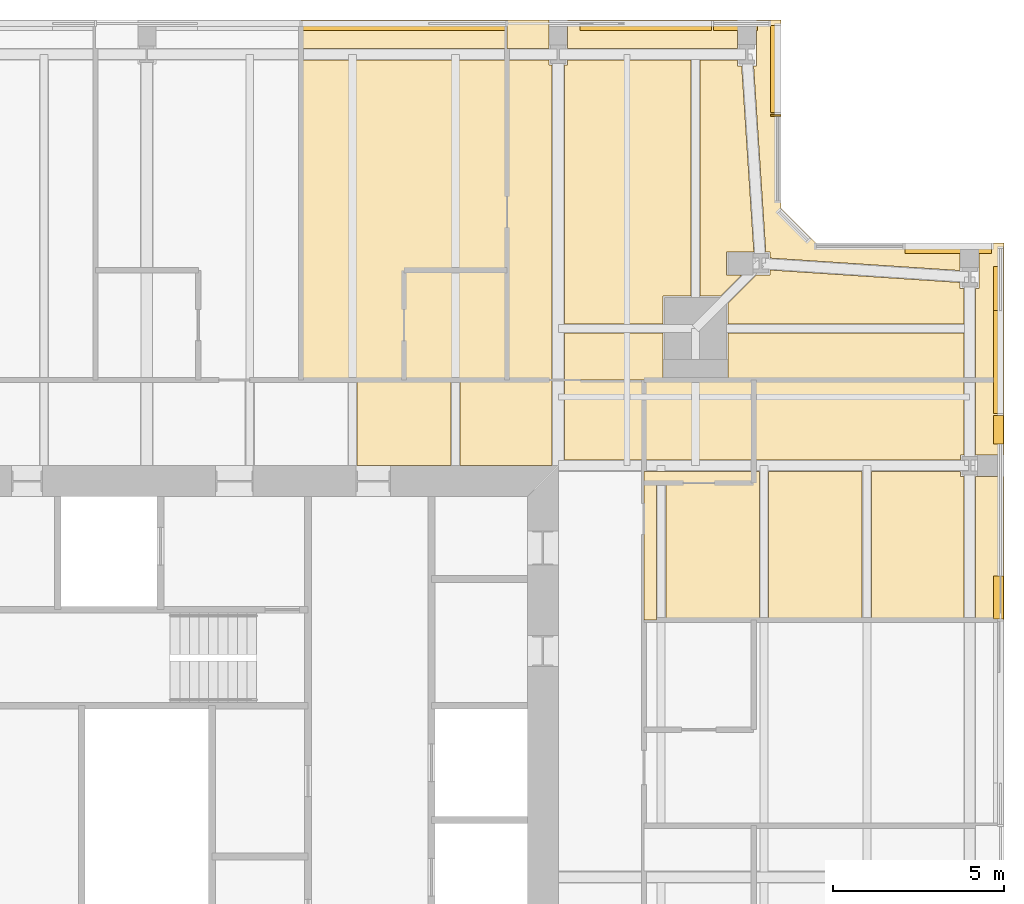
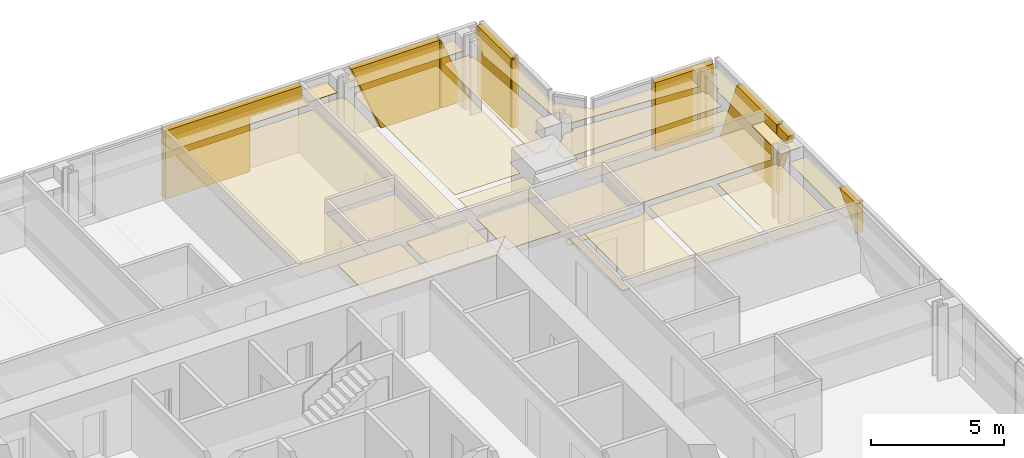
# One storey, part 20 of 20: 34 coverings.
"""IFC4 building model written with IfcOpenShell, lengths in metres."""

from ifc_helpers import new_model, si_unit, direction, frame, origin, place, context, subcontext, project, spatial, polyline, outline, extrude, material, layer, layer_set, type_object, element, save


model = new_model("IFC4")

# Units and contexts
model_context = context("Model", 3, precision=1e-05, world=origin(), true_north=direction((0.0, 1.0)))
body_context = subcontext(model_context, "Body", "Model", "MODEL_VIEW")
ifc_project = project(units=[si_unit("LENGTHUNIT", "METRE"), si_unit("AREAUNIT", "SQUARE_METRE"), si_unit("VOLUMEUNIT", "CUBIC_METRE"), si_unit("PLANEANGLEUNIT", "RADIAN"), si_unit("MASSUNIT", "GRAM", prefix="KILO")], contexts=[model_context])

# Site, building, storey
site_placement = place(None, origin())
site = spatial("IfcSite", under=ifc_project, at=site_placement, CompositionType="ELEMENT")
building_placement = place(site_placement, origin())
building = spatial("IfcBuilding", under=site, at=building_placement, Name="Fenwick Lantern Interchange", CompositionType="ELEMENT")
storey_placement = place(building_placement, frame((0.0, 0.0, 286.60009765625)))
storey = spatial("IfcBuildingStorey", under=building, at=storey_placement, Name="L69", CompositionType="ELEMENT", Elevation=286.60009765625)

# Coverings
ifc_material_1 = material(Name="Granite cladding, warm grey flamed finish, on aluminium carrier frame", Category="masonry")
ifc_layer_1 = layer(ifc_material_1, 0.300048828125)
ifc_layer_set_1 = layer_set([ifc_layer_1], Name="BRACE CASING PANEL 300")
covering_type_1 = type_object("IfcCoveringType", Name="BRACE CASING PANEL 300", PredefinedType="CLADDING", material=ifc_layer_set_1)
covering_1_placement = place(storey_placement, frame((49.89990234375, 6.60009765625, 1.748046875), z_axis=(0.0, 0.0, 1.0), x_axis=(0.0, 1.0, 0.0)))
element("IfcCovering", 1, at=covering_1_placement, inside=storey, type_object=covering_type_1, Name="Brace casing 05 bay 05a", PredefinedType="CLADDING", context=body_context, shape_type="SweptSolid", body=[
    extrude(outline(polyline([(25.929931640625, 0.0), (27.177490234375, 1.40185546875), (25.929931640625, 1.40185546875), (25.929931640625, 0.0)])), frame((0.0, 0.2099609375, 0.0), z_axis=(0.0, -1.0, 0.0), x_axis=(1.0, 0.0, 0.0)), (0.0, 0.0, 1.0), 0.300048828125),
])
covering_2_placement = place(storey_placement, frame((49.89990234375, 6.60009765625, 1.108642578125), z_axis=(0.0, 0.0, 1.0), x_axis=(0.0, 1.0, 0.0)))
element("IfcCovering", 2, at=covering_2_placement, inside=storey, type_object=covering_type_1, Name="Brace casing 05 bay 05b", PredefinedType="CLADDING", context=body_context, shape_type="SweptSolid", body=[
    extrude(outline(polyline([(31.8701171875, 0.0), (31.8701171875, 2.041259765625), (31.037353515625, 2.041259765625), (31.8701171875, 0.0)])), frame((0.0, 0.2099609375, 0.0), z_axis=(0.0, -1.0, 0.0), x_axis=(1.0, 0.0, 0.0)), (0.0, 0.0, 1.0), 0.300048828125),
])
covering_3_placement = place(storey_placement, frame((49.89990234375, 6.60009765625, 0.0), z_axis=(0.0, 0.0, 1.0), x_axis=(0.0, 1.0, 0.0)))
element("IfcCovering", 3, at=covering_3_placement, inside=storey, type_object=covering_type_1, Name="Brace casing 05 bay 06a", PredefinedType="CLADDING", context=body_context, shape_type="SweptSolid", body=[
    extrude(outline(polyline([(31.929931640625, 0.0), (36.2099609375, 0.0), (34.92529296875, 3.14990234375), (31.929931640625, 3.14990234375), (31.929931640625, 0.0)])), frame((0.0, 0.2099609375, 0.0), z_axis=(0.0, -1.0, 0.0), x_axis=(1.0, 0.0, 0.0)), (0.0, 0.0, 1.0), 0.300048828125),
])
covering_4_placement = place(storey_placement, frame((49.89990234375, 43.39990234375, 0.0), z_axis=(0.0, 0.0, 1.0), x_axis=(-1.0, 0.0, 0.0)))
element("IfcCovering", 4, at=covering_4_placement, inside=storey, type_object=covering_type_1, Name="Brace casing 06 bay 00a", PredefinedType="CLADDING", context=body_context, shape_type="SweptSolid", body=[
    extrude(outline(polyline([(0.260009765625, 0.0), (2.790771484375, 0.0), (2.790771484375, 3.14990234375), (0.260009765625, 3.14990234375), (0.260009765625, 0.0)])), frame((0.0, 0.2099609375, 0.0), z_axis=(0.0, -1.0, 0.0), x_axis=(1.0, 0.0, 0.0)), (0.0, 0.0, 1.0), 0.300048828125),
])
covering_5_placement = place(storey_placement, frame((43.39990234375, 44.45849609375, 0.0), z_axis=(0.0, 0.0, 1.0), x_axis=(0.0, 1.0, 0.0)))
element("IfcCovering", 5, at=covering_5_placement, inside=storey, type_object=covering_type_1, Name="Brace casing 08 bay 00a", PredefinedType="CLADDING", context=body_context, shape_type="SweptSolid", body=[
    extrude(outline(polyline([(2.741455078125, 0.0), (2.790771484375, 0.0), (2.790771484375, 3.14990234375), (2.741455078125, 3.14990234375), (2.741455078125, 0.0)])), frame((0.0, 0.2099609375, 0.0), z_axis=(0.0, -1.0, 0.0), x_axis=(1.0, 0.0, 0.0)), (0.0, 0.0, 1.0), 0.300048828125),
])
covering_6_placement = place(storey_placement, frame((43.39990234375, 44.45849609375, 0.0), z_axis=(0.0, 0.0, 1.0), x_axis=(0.0, 1.0, 0.0)))
element("IfcCovering", 6, at=covering_6_placement, inside=storey, type_object=covering_type_1, Name="Brace casing 08 bay 01a", PredefinedType="CLADDING", context=body_context, shape_type="SweptSolid", body=[
    extrude(outline(polyline([(2.850830078125, 0.0), (5.38134765625, 0.0), (5.38134765625, 3.14990234375), (2.850830078125, 3.14990234375), (2.850830078125, 0.0)])), frame((0.0, 0.2099609375, 0.0), z_axis=(0.0, -1.0, 0.0), x_axis=(1.0, 0.0, 0.0)), (0.0, 0.0, 1.0), 0.300048828125),
])
covering_7_placement = place(storey_placement, frame((43.39990234375, 49.89990234375, 0.0), z_axis=(0.0, 0.0, 1.0), x_axis=(-1.0, 0.0, 0.0)))
element("IfcCovering", 7, at=covering_7_placement, inside=storey, type_object=covering_type_1, Name="Brace casing 09 bay 00a", PredefinedType="CLADDING", context=body_context, shape_type="SweptSolid", body=[
    extrude(outline(polyline([(0.58984375, 0.0), (1.8701171875, 0.0), (1.8701171875, 3.138427734375), (0.58984375, 0.0)])), frame((0.0, 0.2099609375, 0.0), z_axis=(0.0, -1.0, 0.0), x_axis=(1.0, 0.0, 0.0)), (0.0, 0.0, 1.0), 0.300048828125),
])
covering_8_placement = place(storey_placement, frame((43.39990234375, 49.89990234375, 0.0), z_axis=(0.0, 0.0, 1.0), x_axis=(-1.0, 0.0, 0.0)))
element("IfcCovering", 8, at=covering_8_placement, inside=storey, type_object=covering_type_1, Name="Brace casing 09 bay 01a", PredefinedType="CLADDING", context=body_context, shape_type="SweptSolid", body=[
    extrude(outline(polyline([(1.929931640625, 0.0), (4.477783203125, 0.0), (5.7626953125, 3.14990234375), (1.929931640625, 3.14990234375), (1.929931640625, 0.0)])), frame((0.0, 0.2099609375, 0.0), z_axis=(0.0, -1.0, 0.0), x_axis=(1.0, 0.0, 0.0)), (0.0, 0.0, 1.0), 0.300048828125),
])
covering_9_placement = place(storey_placement, frame((43.39990234375, 49.89990234375, 0.0), z_axis=(0.0, 0.0, 1.0), x_axis=(-1.0, 0.0, 0.0)))
element("IfcCovering", 9, at=covering_9_placement, inside=storey, type_object=covering_type_1, Name="Brace casing 09 bay 02a", PredefinedType="CLADDING", context=body_context, shape_type="SweptSolid", body=[
    extrude(outline(polyline([(10.179931640625, 0.0), (13.8701171875, 0.0), (13.8701171875, 3.14990234375), (7.929931640625, 3.14990234375), (7.929931640625, 2.5234375), (10.179931640625, 2.5234375), (10.179931640625, 0.0)])), frame((0.0, 0.2099609375, 0.0), z_axis=(0.0, -1.0, 0.0), x_axis=(1.0, 0.0, 0.0)), (0.0, 0.0, 1.0), 0.300048828125),
])
ifc_material_2 = material(Name="Moisture resistant gypsum board on suspended frame, painted")
ifc_layer_2 = layer(ifc_material_2, 0.014892578125)
ifc_layer_set_2 = layer_set([ifc_layer_2], Name="MOISTURE RESISTANT CEILING 15")
covering_type_2 = type_object("IfcCoveringType", Name="MOISTURE RESISTANT CEILING 15", PredefinedType="CEILING", material=ifc_layer_set_2)
covering_10_placement = place(storey_placement, frame((0.0, 0.0, 2.39990234375)))
element("IfcCovering", 10, at=covering_10_placement, inside=storey, type_object=covering_type_2, Name="En-suite 6907 ceiling", PredefinedType="CEILING", context=body_context, shape_type="SweptSolid", body=[
    extrude(outline(polyline([(39.5, 39.5), (39.5, 37.166015625), (42.699951171875, 37.166015625), (42.699951171875, 39.5), (39.5, 39.5)])), origin(), (0.0, 0.0, 1.0), 0.014892578125),
])
covering_11_placement = place(storey_placement, frame((0.0, 0.0, 2.39990234375)))
element("IfcCovering", 11, at=covering_11_placement, inside=storey, type_object=covering_type_2, Name="En-suite 6907 ceiling", PredefinedType="CEILING", context=body_context, shape_type="SweptSolid", body=[
    extrude(outline(polyline([(42.699951171875, 36.5), (42.699951171875, 36.833984375), (39.5, 36.833984375), (39.5, 36.5), (42.699951171875, 36.5)])), origin(), (0.0, 0.0, 1.0), 0.014892578125),
])
covering_12_placement = place(storey_placement, frame((0.0, 0.0, 2.39990234375)))
element("IfcCovering", 12, at=covering_12_placement, inside=storey, type_object=covering_type_2, Name="En-suite 6908 ceiling", PredefinedType="CEILING", context=body_context, shape_type="SweptSolid", body=[
    extrude(outline(polyline([(35.5, 42.699951171875), (32.5, 42.699951171875), (32.5, 39.5), (35.5, 39.5), (35.5, 42.699951171875)])), origin(), (0.0, 0.0, 1.0), 0.014892578125),
])
ifc_material_3 = material(Name="Gypsum plasterboard on suspended frame, painted")
ifc_layer_3 = layer(ifc_material_3, 0.014892578125)
ifc_layer_set_3 = layer_set([ifc_layer_3], Name="PLASTERBOARD CEILING 15")
covering_type_3 = type_object("IfcCoveringType", Name="PLASTERBOARD CEILING 15", PredefinedType="CEILING", material=ifc_layer_set_3)
covering_13_placement = place(storey_placement, frame((0.0, 0.0, 2.599853515625)))
element("IfcCovering", 13, at=covering_13_placement, inside=storey, type_object=covering_type_3, Name="Corridor ceiling", PredefinedType="CEILING", context=body_context, shape_type="SweptSolid", body=[
    extrude(outline(polyline([(33.865478515625, 39.5), (31.134521484375, 39.5), (31.134521484375, 37.0), (33.865478515625, 37.0), (33.865478515625, 39.5)])), origin(), (0.0, 0.0, 1.0), 0.01513671875),
])
covering_14_placement = place(storey_placement, frame((0.0, 0.0, 2.599853515625)))
element("IfcCovering", 14, at=covering_14_placement, inside=storey, type_object=covering_type_3, Name="Corridor ceiling", PredefinedType="CEILING", context=body_context, shape_type="SweptSolid", body=[
    extrude(outline(polyline([(36.816162109375, 39.5), (34.134521484375, 39.5), (34.134521484375, 37.0), (36.816162109375, 37.0), (36.816162109375, 39.5)])), origin(), (0.0, 0.0, 1.0), 0.01513671875),
])
covering_15_placement = place(storey_placement, frame((0.0, 0.0, 2.599853515625)))
element("IfcCovering", 15, at=covering_15_placement, inside=storey, type_object=covering_type_3, Name="Corridor ceiling", PredefinedType="CEILING", context=body_context, shape_type="SweptSolid", body=[
    extrude(outline(polyline([(39.5, 39.5), (37.183837890625, 39.5), (37.183837890625, 37.166015625), (39.5, 37.166015625), (39.5, 39.5)])), origin(), (0.0, 0.0, 1.0), 0.01513671875),
])
covering_16_placement = place(storey_placement, frame((0.0, 0.0, 2.699951171875)))
element("IfcCovering", 16, at=covering_16_placement, inside=storey, type_object=covering_type_3, Name="Guest room 6907 ceiling", PredefinedType="CEILING", context=body_context, shape_type="SweptSolid", body=[
    extrude(outline(polyline([(48.72900390625, 37.3154296875), (48.82763671875, 37.3154296875), (48.82763671875, 39.5), (42.699951171875, 39.5), (42.699951171875, 37.166015625), (48.72900390625, 37.166015625), (48.72900390625, 37.3154296875)])), origin(), (0.0, 0.0, 1.0), 0.014892578125),
])
covering_17_placement = place(storey_placement, frame((0.0, 0.0, 2.699951171875)))
element("IfcCovering", 17, at=covering_17_placement, inside=storey, type_object=covering_type_3, Name="Guest room 6907 ceiling", PredefinedType="CEILING", context=body_context, shape_type="SweptSolid", body=[
    extrude(outline(polyline([(43.134521484375, 32.5), (45.865478515625, 32.5), (45.865478515625, 36.833984375), (43.134521484375, 36.833984375), (43.134521484375, 32.5)])), origin(), (0.0, 0.0, 1.0), 0.014892578125),
])
covering_18_placement = place(storey_placement, frame((0.0, 0.0, 2.699951171875)))
element("IfcCovering", 18, at=covering_18_placement, inside=storey, type_object=covering_type_3, Name="Guest room 6907 ceiling", PredefinedType="CEILING", context=body_context, shape_type="SweptSolid", body=[
    extrude(outline(polyline([(48.72900390625, 36.6845703125), (48.72900390625, 36.833984375), (46.134521484375, 36.833984375), (46.134521484375, 32.5), (48.82763671875, 32.5), (48.82763671875, 36.6845703125), (48.72900390625, 36.6845703125)])), origin(), (0.0, 0.0, 1.0), 0.014892578125),
])
covering_19_placement = place(storey_placement, frame((0.0, 0.0, 2.699951171875)))
element("IfcCovering", 19, at=covering_19_placement, inside=storey, type_object=covering_type_3, Name="Guest room 6907 ceiling", PredefinedType="CEILING", context=body_context, shape_type="SweptSolid", body=[
    extrude(outline(polyline([(40.134521484375, 32.5), (42.865478515625, 32.5), (42.865478515625, 36.833984375), (42.699951171875, 36.833984375), (42.699951171875, 36.5), (40.134521484375, 36.5), (40.134521484375, 32.5)])), origin(), (0.0, 0.0, 1.0), 0.014892578125),
])
covering_20_placement = place(storey_placement, frame((0.0, 0.0, 2.699951171875)))
element("IfcCovering", 20, at=covering_20_placement, inside=storey, type_object=covering_type_3, Name="Guest room 6907 ceiling", PredefinedType="CEILING", context=body_context, shape_type="SweptSolid", body=[
    extrude(outline(polyline([(50.0, 36.6845703125), (49.17236328125, 36.6845703125), (49.17236328125, 32.5), (50.0, 32.5), (50.0, 36.6845703125)])), origin(), (0.0, 0.0, 1.0), 0.014892578125),
])
covering_21_placement = place(storey_placement, frame((0.0, 0.0, 2.699951171875)))
element("IfcCovering", 21, at=covering_21_placement, inside=storey, type_object=covering_type_3, Name="Guest room 6907 ceiling", PredefinedType="CEILING", context=body_context, shape_type="SweptSolid", body=[
    extrude(outline(polyline([(49.17236328125, 37.3154296875), (50.0, 37.3154296875), (50.0, 39.5), (49.17236328125, 39.5), (49.17236328125, 37.3154296875)])), origin(), (0.0, 0.0, 1.0), 0.014892578125),
])
covering_22_placement = place(storey_placement, frame((0.0, 0.0, 2.699951171875)))
element("IfcCovering", 22, at=covering_22_placement, inside=storey, type_object=covering_type_3, Name="Guest room 6907 ceiling", PredefinedType="CEILING", context=body_context, shape_type="SweptSolid", body=[
    extrude(outline(polyline([(39.5, 32.5), (39.865478515625, 32.5), (39.865478515625, 36.5), (39.5, 36.5), (39.5, 32.5)])), origin(), (0.0, 0.0, 1.0), 0.014892578125),
])
covering_23_placement = place(storey_placement, frame((0.0, 0.0, 2.699951171875)))
element("IfcCovering", 23, at=covering_23_placement, inside=storey, type_object=covering_type_3, Name="Guest suite 6908 sitting room ceiling", PredefinedType="CEILING", context=body_context, shape_type="SweptSolid", body=[
    extrude(outline(polyline([(40.050048828125, 41.949951171875), (40.865478515625, 41.949951171875), (40.865478515625, 48.82763671875), (37.27099609375, 48.82763671875), (37.27099609375, 48.6845703125), (37.183837890625, 48.6845703125), (37.183837890625, 41.134521484375), (40.050048828125, 41.134521484375), (40.050048828125, 41.949951171875)])), origin(), (0.0, 0.0, 1.0), 0.014892578125),
])
covering_24_placement = place(storey_placement, frame((0.0, 0.0, 2.699951171875)))
element("IfcCovering", 24, at=covering_24_placement, inside=storey, type_object=covering_type_3, Name="Guest suite 6908 sitting room ceiling", PredefinedType="CEILING", context=body_context, shape_type="SweptSolid", body=[
    extrude(outline(polyline([(35.5, 39.5), (36.816162109375, 39.5), (36.816162109375, 48.6845703125), (36.72900390625, 48.6845703125), (36.72900390625, 48.82763671875), (35.5, 48.82763671875), (35.5, 39.5)])), origin(), (0.0, 0.0, 1.0), 0.014892578125),
])
covering_25_placement = place(storey_placement, frame((0.0, 0.0, 2.699951171875)))
element("IfcCovering", 25, at=covering_25_placement, inside=storey, type_object=covering_type_3, Name="Guest suite 6908 sitting room ceiling", PredefinedType="CEILING", context=body_context, shape_type="SweptSolid", body=[
    extrude(outline(polyline([(41.949951171875, 39.5), (48.82763671875, 39.5), (48.82763671875, 40.865478515625), (41.949951171875, 40.865478515625), (41.949951171875, 39.5)])), origin(), (0.0, 0.0, 1.0), 0.014892578125),
])
covering_26_placement = place(storey_placement, frame((0.0, 0.0, 2.699951171875)))
element("IfcCovering", 26, at=covering_26_placement, inside=storey, type_object=covering_type_3, Name="Guest suite 6908 sitting room ceiling", PredefinedType="CEILING", context=body_context, shape_type="SweptSolid", body=[
    extrude(outline(polyline([(41.949951171875, 41.733154296875), (41.949951171875, 41.134521484375), (48.82763671875, 41.134521484375), (48.82763671875, 42.16552734375), (48.72265625, 42.16552734375), (48.72265625, 42.345458984375), (43.17724609375, 42.708984375), (43.17724609375, 42.5654296875), (42.782470703125, 42.5654296875), (41.949951171875, 41.733154296875)])), origin(), (0.0, 0.0, 1.0), 0.014892578125),
])
covering_27_placement = place(storey_placement, frame((0.0, 0.0, 2.699951171875)))
element("IfcCovering", 27, at=covering_27_placement, inside=storey, type_object=covering_type_3, Name="Guest suite 6908 sitting room ceiling", PredefinedType="CEILING", context=body_context, shape_type="SweptSolid", body=[
    extrude(outline(polyline([(41.134521484375, 41.949951171875), (41.733154296875, 41.949951171875), (42.3486328125, 42.5654296875), (41.89990234375, 42.5654296875), (41.89990234375, 43.234375), (42.705322265625, 43.234375), (42.34912109375, 48.66552734375), (42.22265625, 48.66552734375), (42.22265625, 48.82763671875), (41.134521484375, 48.82763671875), (41.134521484375, 41.949951171875)])), origin(), (0.0, 0.0, 1.0), 0.014892578125),
])
covering_28_placement = place(storey_placement, frame((0.0, 0.0, 2.699951171875)))
element("IfcCovering", 28, at=covering_28_placement, inside=storey, type_object=covering_type_3, Name="Guest suite 6908 sitting room ceiling", PredefinedType="CEILING", context=body_context, shape_type="SweptSolid", body=[
    extrude(outline(polyline([(42.77734375, 48.66552734375), (42.69482421875, 48.66552734375), (43.05078125, 43.234375), (43.17724609375, 43.234375), (43.17724609375, 43.0546875), (48.72265625, 42.69091796875), (48.72265625, 43.5), (44.5, 43.5), (43.5, 44.5), (43.5, 50.0), (42.77734375, 50.0), (42.77734375, 48.66552734375)])), origin(), (0.0, 0.0, 1.0), 0.014892578125),
])
covering_29_placement = place(storey_placement, frame((0.0, 0.0, 2.699951171875)))
element("IfcCovering", 29, at=covering_29_placement, inside=storey, type_object=covering_type_3, Name="Guest suite 6908 sitting room ceiling", PredefinedType="CEILING", context=body_context, shape_type="SweptSolid", body=[
    extrude(outline(polyline([(37.27099609375, 50.0), (37.27099609375, 49.17236328125), (42.22265625, 49.17236328125), (42.22265625, 50.0), (37.27099609375, 50.0)])), origin(), (0.0, 0.0, 1.0), 0.014892578125),
])
covering_30_placement = place(storey_placement, frame((0.0, 0.0, 2.699951171875)))
element("IfcCovering", 30, at=covering_30_placement, inside=storey, type_object=covering_type_3, Name="Guest suite 6908 sitting room ceiling", PredefinedType="CEILING", context=body_context, shape_type="SweptSolid", body=[
    extrude(outline(polyline([(40.050048828125, 39.5), (40.050048828125, 40.865478515625), (37.183837890625, 40.865478515625), (37.183837890625, 39.5), (40.050048828125, 39.5)])), origin(), (0.0, 0.0, 1.0), 0.014892578125),
])
covering_31_placement = place(storey_placement, frame((0.0, 0.0, 2.699951171875)))
element("IfcCovering", 31, at=covering_31_placement, inside=storey, type_object=covering_type_3, Name="Guest suite 6908 sitting room ceiling", PredefinedType="CEILING", context=body_context, shape_type="SweptSolid", body=[
    extrude(outline(polyline([(49.27734375, 43.5), (49.27734375, 42.16552734375), (49.17236328125, 42.16552734375), (49.17236328125, 39.5), (50.0, 39.5), (50.0, 43.5), (49.27734375, 43.5)])), origin(), (0.0, 0.0, 1.0), 0.014892578125),
])
covering_32_placement = place(storey_placement, frame((0.0, 0.0, 2.699951171875)))
element("IfcCovering", 32, at=covering_32_placement, inside=storey, type_object=covering_type_3, Name="Guest suite 6908 sitting room ceiling", PredefinedType="CEILING", context=body_context, shape_type="SweptSolid", body=[
    extrude(outline(polyline([(35.5, 50.0), (35.5, 49.17236328125), (36.72900390625, 49.17236328125), (36.72900390625, 50.0), (35.5, 50.0)])), origin(), (0.0, 0.0, 1.0), 0.014892578125),
])
covering_33_placement = place(storey_placement, frame((0.0, 0.0, 2.57275390625)))
element("IfcCovering", 33, at=covering_33_placement, inside=storey, type_object=covering_type_3, Name="Guest suite 6908 bedroom ceiling", PredefinedType="CEILING", context=body_context, shape_type="SweptSolid", body=[
    extrude(outline(polyline([(29.5, 48.82763671875), (29.5, 39.5), (32.5, 39.5), (32.5, 42.699951171875), (35.5, 42.699951171875), (35.5, 48.82763671875), (29.5, 48.82763671875)])), origin(), (0.0, 0.0, 1.0), 0.014892578125),
])
covering_34_placement = place(storey_placement, frame((0.0, 0.0, 2.57275390625)))
element("IfcCovering", 34, at=covering_34_placement, inside=storey, type_object=covering_type_3, Name="Guest suite 6908 bedroom ceiling", PredefinedType="CEILING", context=body_context, shape_type="SweptSolid", body=[
    extrude(outline(polyline([(29.5, 50.0), (29.5, 49.17236328125), (35.5, 49.17236328125), (35.5, 50.0), (29.5, 50.0)])), origin(), (0.0, 0.0, 1.0), 0.014892578125),
])

save(model, "model.ifc")
